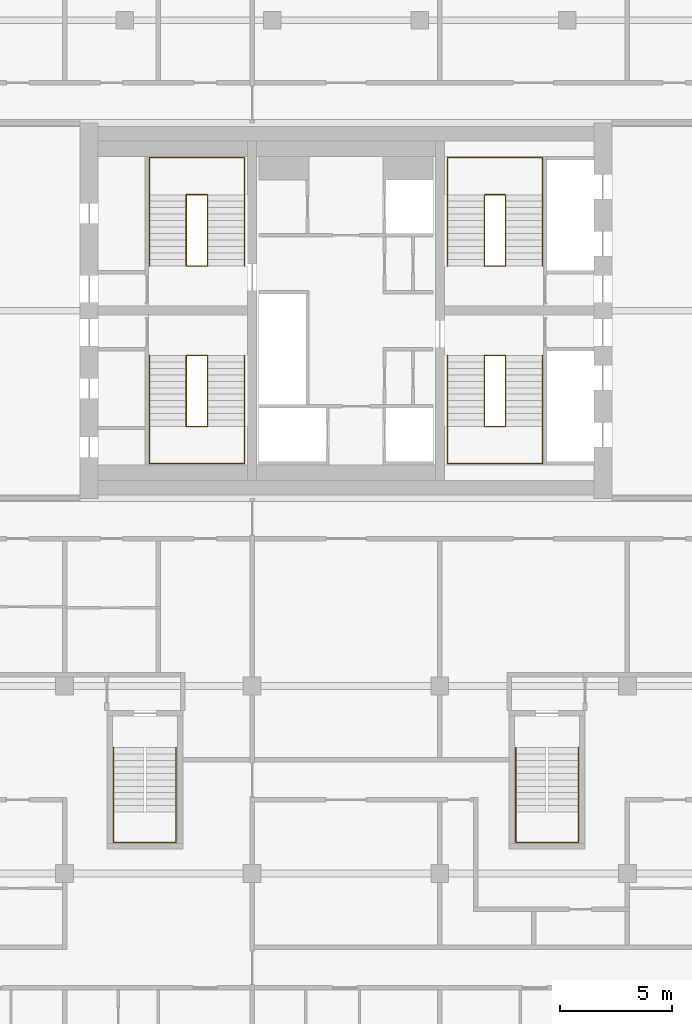
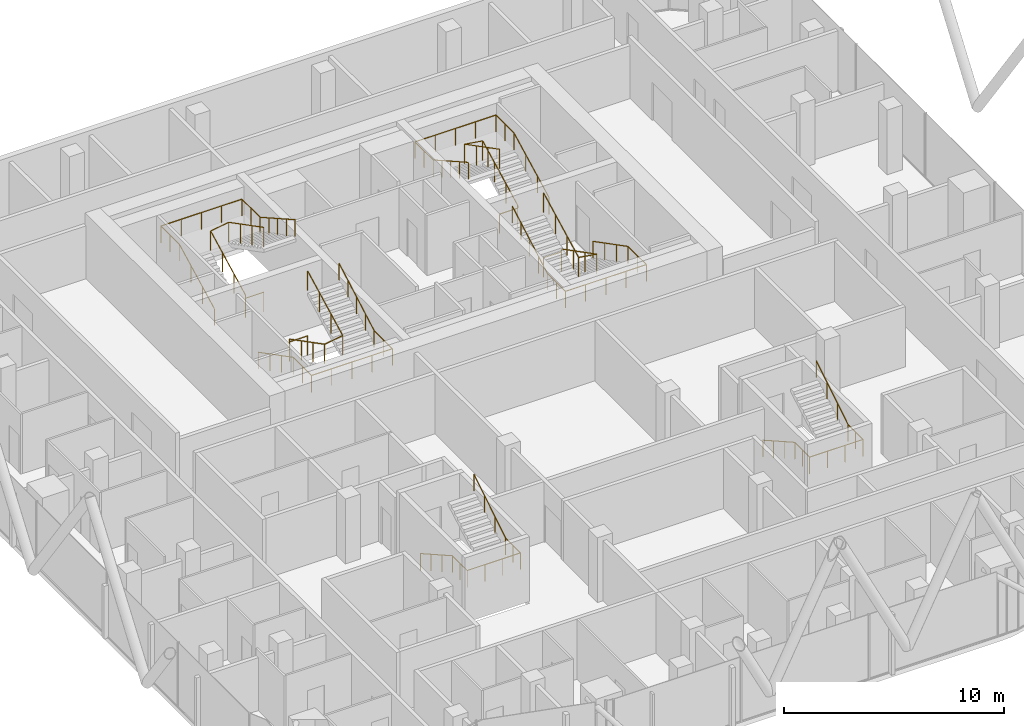
# One storey, part 28 of 28: 10 railings.
"""IFC4 building model written with IfcOpenShell, lengths in metres."""

from ifc_helpers import new_model, si_unit, direction, frame, origin, origin_2d, place, context, subcontext, project, spatial, circle, extrude, material, type_object, element, save


model = new_model("IFC4")

# Units and contexts
model_context = context("Model", 3, precision=1e-05, world=origin(), true_north=direction((0.0, 1.0)))
body_context = subcontext(model_context, "Body", "Model", "MODEL_VIEW")
ifc_project = project(units=[si_unit("LENGTHUNIT", "METRE"), si_unit("AREAUNIT", "SQUARE_METRE"), si_unit("VOLUMEUNIT", "CUBIC_METRE"), si_unit("PLANEANGLEUNIT", "RADIAN"), si_unit("MASSUNIT", "GRAM", prefix="KILO")], contexts=[model_context])

# Site, building, storey
site_placement = place(None, origin())
site = spatial("IfcSite", under=ifc_project, at=site_placement, CompositionType="ELEMENT")
building_placement = place(site_placement, origin())
building = spatial("IfcBuilding", under=site, at=building_placement, Name="Marenta Gate Hotel Tower", CompositionType="ELEMENT")
storey_placement = place(building_placement, frame((0.0, 0.0, 198.5)))
storey = spatial("IfcBuildingStorey", under=building, at=storey_placement, Name="L45", CompositionType="ELEMENT", Elevation=198.5)

# Railings
ifc_material_1 = material(Name="Stainless steel", Category="steel")
railing_type_1 = type_object("IfcRailingType", Name="Core stair handrail 950", PredefinedType="HANDRAIL", material=ifc_material_1)
railing_1_placement = place(storey_placement, frame((-8.800048828125, 6.39990234375, 0.14990234375)))
element("IfcRailing", 1, at=railing_1_placement, inside=storey, type_object=railing_type_1, Name="HR-950 L45-KR-ST1-1", PredefinedType="HANDRAIL", context=body_context, shape_type="SweptSolid", body=[
    extrude(circle(Radius=0.02392578125, at=origin_2d()), frame((0.0, 0.0, 0.92578125), z_axis=(0.0, -0.888197555067, 0.459461753765), x_axis=(1.0, 0.0, 0.0)), (0.0, 0.0, 1.0), 3.591552734375),
    extrude(circle(Radius=0.02392578125, at=origin_2d()), frame((0.0, -3.18994140625, 2.576171875), z_axis=(0.0, -1.0, 0.0), x_axis=(1.0, 0.0, 0.0)), (0.0, 0.0, 1.0), 1.659912109375),
    extrude(circle(Radius=0.02392578125, at=origin_2d()), frame((0.0, -4.849853515625, 2.576171875), z_axis=(1.0, 0.0, 0.0), x_axis=(0.0, 1.0, 0.0)), (0.0, 0.0, 1.0), 4.25),
    extrude(circle(Radius=0.02392578125, at=origin_2d()), frame((4.25, -4.849853515625, 2.576171875), z_axis=(0.0, 1.0, 0.0), x_axis=(-1.0, 0.0, 0.0)), (0.0, 0.0, 1.0), 1.659912109375),
    extrude(circle(Radius=0.02392578125, at=origin_2d()), frame((4.25, -3.18994140625, 2.576171875), z_axis=(0.0, 0.87090897868, 0.491444351738), x_axis=(-1.0, 0.0, 0.0)), (0.0, 0.0, 1.0), 3.662841796875),
    extrude(circle(Radius=0.02099609375, at=origin_2d()), origin(), (0.0, 0.0, 1.0), 0.90185546875),
    extrude(circle(Radius=0.02099609375, at=origin_2d()), frame((0.0, -1.063232421875, 0.550048828125)), (0.0, 0.0, 1.0), 0.90185546875),
    extrude(circle(Radius=0.02099609375, at=origin_2d()), frame((0.0, -2.126708984375, 1.10009765625)), (0.0, 0.0, 1.0), 0.90185546875),
    extrude(circle(Radius=0.02099609375, at=origin_2d()), frame((0.0, -3.18994140625, 1.650146484375)), (0.0, 0.0, 1.0), 0.90185546875),
    extrude(circle(Radius=0.02099609375, at=origin_2d()), frame((0.0, -4.02001953125, 1.650146484375)), (0.0, 0.0, 1.0), 0.90185546875),
    extrude(circle(Radius=0.02099609375, at=origin_2d()), frame((0.0, -4.849853515625, 1.650146484375)), (0.0, 0.0, 1.0), 0.90185546875),
    extrude(circle(Radius=0.02099609375, at=origin_2d()), frame((1.0625, -4.849853515625, 1.650146484375)), (0.0, 0.0, 1.0), 0.90185546875),
    extrude(circle(Radius=0.02099609375, at=origin_2d()), frame((2.125, -4.849853515625, 1.650146484375)), (0.0, 0.0, 1.0), 0.90185546875),
    extrude(circle(Radius=0.02099609375, at=origin_2d()), frame((3.1875, -4.849853515625, 1.650146484375)), (0.0, 0.0, 1.0), 0.90185546875),
    extrude(circle(Radius=0.02099609375, at=origin_2d()), frame((4.25, -4.849853515625, 1.650146484375)), (0.0, 0.0, 1.0), 0.90185546875),
    extrude(circle(Radius=0.02099609375, at=origin_2d()), frame((4.25, -4.02001953125, 1.650146484375)), (0.0, 0.0, 1.0), 0.90185546875),
    extrude(circle(Radius=0.02099609375, at=origin_2d()), frame((4.25, -3.18994140625, 1.650146484375)), (0.0, 0.0, 1.0), 0.90185546875),
    extrude(circle(Radius=0.02099609375, at=origin_2d()), frame((4.25, -2.392578125, 2.10009765625)), (0.0, 0.0, 1.0), 0.90185546875),
    extrude(circle(Radius=0.02099609375, at=origin_2d()), frame((4.25, -1.594970703125, 2.55029296875)), (0.0, 0.0, 1.0), 0.90185546875),
    extrude(circle(Radius=0.02099609375, at=origin_2d()), frame((4.25, -0.79736328125, 3.000244140625)), (0.0, 0.0, 1.0), 0.90185546875),
    extrude(circle(Radius=0.02099609375, at=origin_2d()), frame((4.25, 0.0, 3.4501953125)), (0.0, 0.0, 1.0), 0.90185546875),
])
railing_2_placement = place(storey_placement, frame((-8.800048828125, 10.39990234375, 0.14990234375)))
element("IfcRailing", 2, at=railing_2_placement, inside=storey, type_object=railing_type_1, Name="HR-950 L45-KR-ST2-1", PredefinedType="HANDRAIL", context=body_context, shape_type="SweptSolid", body=[
    extrude(circle(Radius=0.02392578125, at=origin_2d()), frame((0.0, 0.0, 0.92578125), z_axis=(0.0, 0.888211904222, 0.459434013977), x_axis=(-1.0, 0.0, 0.0)), (0.0, 0.0, 1.0), 3.591796875),
    extrude(circle(Radius=0.02392578125, at=origin_2d()), frame((0.0, 3.190185546875, 2.576171875), z_axis=(0.0, 1.0, 0.0), x_axis=(-1.0, 0.0, 0.0)), (0.0, 0.0, 1.0), 1.659912109375),
    extrude(circle(Radius=0.02392578125, at=origin_2d()), frame((0.0, 4.85009765625, 2.576171875), z_axis=(1.0, 0.0, 0.0), x_axis=(0.0, 1.0, 0.0)), (0.0, 0.0, 1.0), 4.25),
    extrude(circle(Radius=0.02392578125, at=origin_2d()), frame((4.25, 4.85009765625, 2.576171875), z_axis=(0.0, -1.0, 0.0), x_axis=(1.0, 0.0, 0.0)), (0.0, 0.0, 1.0), 1.659912109375),
    extrude(circle(Radius=0.02392578125, at=origin_2d()), frame((4.25, 3.190185546875, 2.576171875), z_axis=(0.0, -0.870925075533, 0.491415824742), x_axis=(1.0, 0.0, 0.0)), (0.0, 0.0, 1.0), 3.6630859375),
    extrude(circle(Radius=0.02099609375, at=origin_2d()), origin(), (0.0, 0.0, 1.0), 0.90185546875),
    extrude(circle(Radius=0.02099609375, at=origin_2d()), frame((0.0, 1.0634765625, 0.550048828125)), (0.0, 0.0, 1.0), 0.90185546875),
    extrude(circle(Radius=0.02099609375, at=origin_2d()), frame((0.0, 2.126708984375, 1.10009765625)), (0.0, 0.0, 1.0), 0.90185546875),
    extrude(circle(Radius=0.02099609375, at=origin_2d()), frame((0.0, 3.190185546875, 1.650146484375)), (0.0, 0.0, 1.0), 0.90185546875),
    extrude(circle(Radius=0.02099609375, at=origin_2d()), frame((0.0, 4.02001953125, 1.650146484375)), (0.0, 0.0, 1.0), 0.90185546875),
    extrude(circle(Radius=0.02099609375, at=origin_2d()), frame((0.0, 4.85009765625, 1.650146484375)), (0.0, 0.0, 1.0), 0.90185546875),
    extrude(circle(Radius=0.02099609375, at=origin_2d()), frame((1.0625, 4.85009765625, 1.650146484375)), (0.0, 0.0, 1.0), 0.90185546875),
    extrude(circle(Radius=0.02099609375, at=origin_2d()), frame((2.125, 4.85009765625, 1.650146484375)), (0.0, 0.0, 1.0), 0.90185546875),
    extrude(circle(Radius=0.02099609375, at=origin_2d()), frame((3.1875, 4.85009765625, 1.650146484375)), (0.0, 0.0, 1.0), 0.90185546875),
    extrude(circle(Radius=0.02099609375, at=origin_2d()), frame((4.25, 4.85009765625, 1.650146484375)), (0.0, 0.0, 1.0), 0.90185546875),
    extrude(circle(Radius=0.02099609375, at=origin_2d()), frame((4.25, 4.02001953125, 1.650146484375)), (0.0, 0.0, 1.0), 0.90185546875),
    extrude(circle(Radius=0.02099609375, at=origin_2d()), frame((4.25, 3.190185546875, 1.650146484375)), (0.0, 0.0, 1.0), 0.90185546875),
    extrude(circle(Radius=0.02099609375, at=origin_2d()), frame((4.25, 2.392578125, 2.10009765625)), (0.0, 0.0, 1.0), 0.90185546875),
    extrude(circle(Radius=0.02099609375, at=origin_2d()), frame((4.25, 1.59521484375, 2.55029296875)), (0.0, 0.0, 1.0), 0.90185546875),
    extrude(circle(Radius=0.02099609375, at=origin_2d()), frame((4.25, 0.797607421875, 3.000244140625)), (0.0, 0.0, 1.0), 0.90185546875),
    extrude(circle(Radius=0.02099609375, at=origin_2d()), frame((4.25, 0.0, 3.4501953125)), (0.0, 0.0, 1.0), 0.90185546875),
])
railing_3_placement = place(storey_placement, frame((8.800048828125, 6.39990234375, 0.14990234375)))
element("IfcRailing", 3, at=railing_3_placement, inside=storey, type_object=railing_type_1, Name="HR-950 L45-KR-ST3-1", PredefinedType="HANDRAIL", context=body_context, shape_type="SweptSolid", body=[
    extrude(circle(Radius=0.02392578125, at=origin_2d()), frame((0.0, 0.0, 0.92578125), z_axis=(0.0, -0.888197555067, 0.459461753765), x_axis=(1.0, 0.0, 0.0)), (0.0, 0.0, 1.0), 3.591552734375),
    extrude(circle(Radius=0.02392578125, at=origin_2d()), frame((0.0, -3.18994140625, 2.576171875), z_axis=(0.0, -1.0, 0.0), x_axis=(1.0, 0.0, 0.0)), (0.0, 0.0, 1.0), 1.659912109375),
    extrude(circle(Radius=0.02392578125, at=origin_2d()), frame((0.0, -4.849853515625, 2.576171875), z_axis=(-1.0, 0.0, 0.0), x_axis=(0.0, -1.0, 0.0)), (0.0, 0.0, 1.0), 4.25),
    extrude(circle(Radius=0.02392578125, at=origin_2d()), frame((-4.25, -4.849853515625, 2.576171875), z_axis=(0.0, 1.0, 0.0), x_axis=(-1.0, 0.0, 0.0)), (0.0, 0.0, 1.0), 1.659912109375),
    extrude(circle(Radius=0.02392578125, at=origin_2d()), frame((-4.25, -3.18994140625, 2.576171875), z_axis=(0.0, 0.87090897868, 0.491444351738), x_axis=(-1.0, 0.0, 0.0)), (0.0, 0.0, 1.0), 3.662841796875),
    extrude(circle(Radius=0.02099609375, at=origin_2d()), origin(), (0.0, 0.0, 1.0), 0.90185546875),
    extrude(circle(Radius=0.02099609375, at=origin_2d()), frame((0.0, -1.063232421875, 0.550048828125)), (0.0, 0.0, 1.0), 0.90185546875),
    extrude(circle(Radius=0.02099609375, at=origin_2d()), frame((0.0, -2.126708984375, 1.10009765625)), (0.0, 0.0, 1.0), 0.90185546875),
    extrude(circle(Radius=0.02099609375, at=origin_2d()), frame((0.0, -3.18994140625, 1.650146484375)), (0.0, 0.0, 1.0), 0.90185546875),
    extrude(circle(Radius=0.02099609375, at=origin_2d()), frame((0.0, -4.02001953125, 1.650146484375)), (0.0, 0.0, 1.0), 0.90185546875),
    extrude(circle(Radius=0.02099609375, at=origin_2d()), frame((0.0, -4.849853515625, 1.650146484375)), (0.0, 0.0, 1.0), 0.90185546875),
    extrude(circle(Radius=0.02099609375, at=origin_2d()), frame((-1.0625, -4.849853515625, 1.650146484375)), (0.0, 0.0, 1.0), 0.90185546875),
    extrude(circle(Radius=0.02099609375, at=origin_2d()), frame((-2.125, -4.849853515625, 1.650146484375)), (0.0, 0.0, 1.0), 0.90185546875),
    extrude(circle(Radius=0.02099609375, at=origin_2d()), frame((-3.1875, -4.849853515625, 1.650146484375)), (0.0, 0.0, 1.0), 0.90185546875),
    extrude(circle(Radius=0.02099609375, at=origin_2d()), frame((-4.25, -4.849853515625, 1.650146484375)), (0.0, 0.0, 1.0), 0.90185546875),
    extrude(circle(Radius=0.02099609375, at=origin_2d()), frame((-4.25, -4.02001953125, 1.650146484375)), (0.0, 0.0, 1.0), 0.90185546875),
    extrude(circle(Radius=0.02099609375, at=origin_2d()), frame((-4.25, -3.18994140625, 1.650146484375)), (0.0, 0.0, 1.0), 0.90185546875),
    extrude(circle(Radius=0.02099609375, at=origin_2d()), frame((-4.25, -2.392578125, 2.10009765625)), (0.0, 0.0, 1.0), 0.90185546875),
    extrude(circle(Radius=0.02099609375, at=origin_2d()), frame((-4.25, -1.594970703125, 2.55029296875)), (0.0, 0.0, 1.0), 0.90185546875),
    extrude(circle(Radius=0.02099609375, at=origin_2d()), frame((-4.25, -0.79736328125, 3.000244140625)), (0.0, 0.0, 1.0), 0.90185546875),
    extrude(circle(Radius=0.02099609375, at=origin_2d()), frame((-4.25, 0.0, 3.4501953125)), (0.0, 0.0, 1.0), 0.90185546875),
])
railing_4_placement = place(storey_placement, frame((8.800048828125, 10.39990234375, 0.14990234375)))
element("IfcRailing", 4, at=railing_4_placement, inside=storey, type_object=railing_type_1, Name="HR-950 L45-KR-ST4-1", PredefinedType="HANDRAIL", context=body_context, shape_type="SweptSolid", body=[
    extrude(circle(Radius=0.02392578125, at=origin_2d()), frame((0.0, 0.0, 0.92578125), z_axis=(0.0, 0.888211904222, 0.459434013977), x_axis=(-1.0, 0.0, 0.0)), (0.0, 0.0, 1.0), 3.591796875),
    extrude(circle(Radius=0.02392578125, at=origin_2d()), frame((0.0, 3.190185546875, 2.576171875), z_axis=(0.0, 1.0, 0.0), x_axis=(-1.0, 0.0, 0.0)), (0.0, 0.0, 1.0), 1.659912109375),
    extrude(circle(Radius=0.02392578125, at=origin_2d()), frame((0.0, 4.85009765625, 2.576171875), z_axis=(-1.0, 0.0, 0.0), x_axis=(0.0, -1.0, 0.0)), (0.0, 0.0, 1.0), 4.25),
    extrude(circle(Radius=0.02392578125, at=origin_2d()), frame((-4.25, 4.85009765625, 2.576171875), z_axis=(0.0, -1.0, 0.0), x_axis=(1.0, 0.0, 0.0)), (0.0, 0.0, 1.0), 1.659912109375),
    extrude(circle(Radius=0.02392578125, at=origin_2d()), frame((-4.25, 3.190185546875, 2.576171875), z_axis=(0.0, -0.870925075533, 0.491415824742), x_axis=(1.0, 0.0, 0.0)), (0.0, 0.0, 1.0), 3.6630859375),
    extrude(circle(Radius=0.02099609375, at=origin_2d()), origin(), (0.0, 0.0, 1.0), 0.90185546875),
    extrude(circle(Radius=0.02099609375, at=origin_2d()), frame((0.0, 1.0634765625, 0.550048828125)), (0.0, 0.0, 1.0), 0.90185546875),
    extrude(circle(Radius=0.02099609375, at=origin_2d()), frame((0.0, 2.126708984375, 1.10009765625)), (0.0, 0.0, 1.0), 0.90185546875),
    extrude(circle(Radius=0.02099609375, at=origin_2d()), frame((0.0, 3.190185546875, 1.650146484375)), (0.0, 0.0, 1.0), 0.90185546875),
    extrude(circle(Radius=0.02099609375, at=origin_2d()), frame((0.0, 4.02001953125, 1.650146484375)), (0.0, 0.0, 1.0), 0.90185546875),
    extrude(circle(Radius=0.02099609375, at=origin_2d()), frame((0.0, 4.85009765625, 1.650146484375)), (0.0, 0.0, 1.0), 0.90185546875),
    extrude(circle(Radius=0.02099609375, at=origin_2d()), frame((-1.0625, 4.85009765625, 1.650146484375)), (0.0, 0.0, 1.0), 0.90185546875),
    extrude(circle(Radius=0.02099609375, at=origin_2d()), frame((-2.125, 4.85009765625, 1.650146484375)), (0.0, 0.0, 1.0), 0.90185546875),
    extrude(circle(Radius=0.02099609375, at=origin_2d()), frame((-3.1875, 4.85009765625, 1.650146484375)), (0.0, 0.0, 1.0), 0.90185546875),
    extrude(circle(Radius=0.02099609375, at=origin_2d()), frame((-4.25, 4.85009765625, 1.650146484375)), (0.0, 0.0, 1.0), 0.90185546875),
    extrude(circle(Radius=0.02099609375, at=origin_2d()), frame((-4.25, 4.02001953125, 1.650146484375)), (0.0, 0.0, 1.0), 0.90185546875),
    extrude(circle(Radius=0.02099609375, at=origin_2d()), frame((-4.25, 3.190185546875, 1.650146484375)), (0.0, 0.0, 1.0), 0.90185546875),
    extrude(circle(Radius=0.02099609375, at=origin_2d()), frame((-4.25, 2.392578125, 2.10009765625)), (0.0, 0.0, 1.0), 0.90185546875),
    extrude(circle(Radius=0.02099609375, at=origin_2d()), frame((-4.25, 1.59521484375, 2.55029296875)), (0.0, 0.0, 1.0), 0.90185546875),
    extrude(circle(Radius=0.02099609375, at=origin_2d()), frame((-4.25, 0.797607421875, 3.000244140625)), (0.0, 0.0, 1.0), 0.90185546875),
    extrude(circle(Radius=0.02099609375, at=origin_2d()), frame((-4.25, 0.0, 3.4501953125)), (0.0, 0.0, 1.0), 0.90185546875),
])
railing_5_placement = place(storey_placement, frame((-10.39990234375, -11.14990234375, 0.16357421875)))
element("IfcRailing", 5, at=railing_5_placement, inside=storey, type_object=railing_type_1, Name="HR-950 L45-RS-Z3-1-KR-1", PredefinedType="HANDRAIL", context=body_context, shape_type="SweptSolid", body=[
    extrude(circle(Radius=0.02392578125, at=origin_2d()), frame((0.0, 0.0, 0.92578125), z_axis=(0.0, -0.870914908162, 0.491433843708), x_axis=(1.0, 0.0, 0.0)), (0.0, 0.0, 1.0), 3.330078125),
    extrude(circle(Radius=0.02392578125, at=origin_2d()), frame((0.0, -2.900146484375, 2.5625), z_axis=(0.0, -1.0, 0.0), x_axis=(1.0, 0.0, 0.0)), (0.0, 0.0, 1.0), 1.349853515625),
    extrude(circle(Radius=0.02392578125, at=origin_2d()), frame((0.0, -4.25, 2.5625), z_axis=(1.0, 0.0, 0.0), x_axis=(0.0, 1.0, 0.0)), (0.0, 0.0, 1.0), 2.7998046875),
    extrude(circle(Radius=0.02392578125, at=origin_2d()), frame((2.7998046875, -4.25, 2.5625), z_axis=(0.0, 1.0, 0.0), x_axis=(-1.0, 0.0, 0.0)), (0.0, 0.0, 1.0), 1.349853515625),
    extrude(circle(Radius=0.02392578125, at=origin_2d()), frame((2.7998046875, -2.900146484375, 2.5625), z_axis=(0.0, 0.849645691689, 0.527353959494), x_axis=(-1.0, 0.0, 0.0)), (0.0, 0.0, 1.0), 3.413330078125),
    extrude(circle(Radius=0.02099609375, at=origin_2d()), origin(), (0.0, 0.0, 1.0), 0.90185546875),
    extrude(circle(Radius=0.02099609375, at=origin_2d()), frame((0.0, -0.966796875, 0.54541015625)), (0.0, 0.0, 1.0), 0.90185546875),
    extrude(circle(Radius=0.02099609375, at=origin_2d()), frame((0.0, -1.933349609375, 1.091064453125)), (0.0, 0.0, 1.0), 0.90185546875),
    extrude(circle(Radius=0.02099609375, at=origin_2d()), frame((0.0, -2.900146484375, 1.636474609375)), (0.0, 0.0, 1.0), 0.90185546875),
    extrude(circle(Radius=0.02099609375, at=origin_2d()), frame((0.0, -3.5751953125, 1.636474609375)), (0.0, 0.0, 1.0), 0.90185546875),
    extrude(circle(Radius=0.02099609375, at=origin_2d()), frame((0.0, -4.25, 1.636474609375)), (0.0, 0.0, 1.0), 0.90185546875),
    extrude(circle(Radius=0.02099609375, at=origin_2d()), frame((0.933349609375, -4.25, 1.636474609375)), (0.0, 0.0, 1.0), 0.90185546875),
    extrude(circle(Radius=0.02099609375, at=origin_2d()), frame((1.866455078125, -4.25, 1.636474609375)), (0.0, 0.0, 1.0), 0.90185546875),
    extrude(circle(Radius=0.02099609375, at=origin_2d()), frame((2.7998046875, -4.25, 1.636474609375)), (0.0, 0.0, 1.0), 0.90185546875),
    extrude(circle(Radius=0.02099609375, at=origin_2d()), frame((2.7998046875, -3.5751953125, 1.636474609375)), (0.0, 0.0, 1.0), 0.90185546875),
    extrude(circle(Radius=0.02099609375, at=origin_2d()), frame((2.7998046875, -2.900146484375, 1.636474609375)), (0.0, 0.0, 1.0), 0.90185546875),
    extrude(circle(Radius=0.02099609375, at=origin_2d()), frame((2.7998046875, -1.933349609375, 2.236572265625)), (0.0, 0.0, 1.0), 0.90185546875),
    extrude(circle(Radius=0.02099609375, at=origin_2d()), frame((2.7998046875, -0.966796875, 2.83642578125)), (0.0, 0.0, 1.0), 0.90185546875),
    extrude(circle(Radius=0.02099609375, at=origin_2d()), frame((2.7998046875, 0.0, 3.4365234375)), (0.0, 0.0, 1.0), 0.90185546875),
])
railing_6_placement = place(storey_placement, frame((7.60009765625, -11.14990234375, 0.16357421875)))
element("IfcRailing", 6, at=railing_6_placement, inside=storey, type_object=railing_type_1, Name="HR-950 L45-RS-Z3-2-KR-1", PredefinedType="HANDRAIL", context=body_context, shape_type="SweptSolid", body=[
    extrude(circle(Radius=0.02392578125, at=origin_2d()), frame((0.0, 0.0, 0.92578125), z_axis=(0.0, -0.870914908162, 0.491433843708), x_axis=(1.0, 0.0, 0.0)), (0.0, 0.0, 1.0), 3.330078125),
    extrude(circle(Radius=0.02392578125, at=origin_2d()), frame((0.0, -2.900146484375, 2.5625), z_axis=(0.0, -1.0, 0.0), x_axis=(1.0, 0.0, 0.0)), (0.0, 0.0, 1.0), 1.349853515625),
    extrude(circle(Radius=0.02392578125, at=origin_2d()), frame((0.0, -4.25, 2.5625), z_axis=(1.0, 0.0, 0.0), x_axis=(0.0, 1.0, 0.0)), (0.0, 0.0, 1.0), 2.7998046875),
    extrude(circle(Radius=0.02392578125, at=origin_2d()), frame((2.7998046875, -4.25, 2.5625), z_axis=(0.0, 1.0, 0.0), x_axis=(-1.0, 0.0, 0.0)), (0.0, 0.0, 1.0), 1.349853515625),
    extrude(circle(Radius=0.02392578125, at=origin_2d()), frame((2.7998046875, -2.900146484375, 2.5625), z_axis=(0.0, 0.849645691689, 0.527353959494), x_axis=(-1.0, 0.0, 0.0)), (0.0, 0.0, 1.0), 3.413330078125),
    extrude(circle(Radius=0.02099609375, at=origin_2d()), origin(), (0.0, 0.0, 1.0), 0.90185546875),
    extrude(circle(Radius=0.02099609375, at=origin_2d()), frame((0.0, -0.966796875, 0.54541015625)), (0.0, 0.0, 1.0), 0.90185546875),
    extrude(circle(Radius=0.02099609375, at=origin_2d()), frame((0.0, -1.933349609375, 1.091064453125)), (0.0, 0.0, 1.0), 0.90185546875),
    extrude(circle(Radius=0.02099609375, at=origin_2d()), frame((0.0, -2.900146484375, 1.636474609375)), (0.0, 0.0, 1.0), 0.90185546875),
    extrude(circle(Radius=0.02099609375, at=origin_2d()), frame((0.0, -3.5751953125, 1.636474609375)), (0.0, 0.0, 1.0), 0.90185546875),
    extrude(circle(Radius=0.02099609375, at=origin_2d()), frame((0.0, -4.25, 1.636474609375)), (0.0, 0.0, 1.0), 0.90185546875),
    extrude(circle(Radius=0.02099609375, at=origin_2d()), frame((0.933349609375, -4.25, 1.636474609375)), (0.0, 0.0, 1.0), 0.90185546875),
    extrude(circle(Radius=0.02099609375, at=origin_2d()), frame((1.866455078125, -4.25, 1.636474609375)), (0.0, 0.0, 1.0), 0.90185546875),
    extrude(circle(Radius=0.02099609375, at=origin_2d()), frame((2.7998046875, -4.25, 1.636474609375)), (0.0, 0.0, 1.0), 0.90185546875),
    extrude(circle(Radius=0.02099609375, at=origin_2d()), frame((2.7998046875, -3.5751953125, 1.636474609375)), (0.0, 0.0, 1.0), 0.90185546875),
    extrude(circle(Radius=0.02099609375, at=origin_2d()), frame((2.7998046875, -2.900146484375, 1.636474609375)), (0.0, 0.0, 1.0), 0.90185546875),
    extrude(circle(Radius=0.02099609375, at=origin_2d()), frame((2.7998046875, -1.933349609375, 2.236572265625)), (0.0, 0.0, 1.0), 0.90185546875),
    extrude(circle(Radius=0.02099609375, at=origin_2d()), frame((2.7998046875, -0.966796875, 2.83642578125)), (0.0, 0.0, 1.0), 0.90185546875),
    extrude(circle(Radius=0.02099609375, at=origin_2d()), frame((2.7998046875, 0.0, 3.4365234375)), (0.0, 0.0, 1.0), 0.90185546875),
])
ifc_material_2 = material(Name="Stainless steel", Category="steel")
railing_type_2 = type_object("IfcRailingType", Name="Core stair well guard 1100", PredefinedType="GUARDRAIL", material=ifc_material_2)
railing_7_placement = place(storey_placement, frame((-6.199951171875, 6.39990234375, 0.0)))
element("IfcRailing", 7, at=railing_7_placement, inside=storey, type_object=railing_type_2, Name="GR-1100 L45-KR-ST1-2", PredefinedType="GUARDRAIL", context=body_context, shape_type="SweptSolid", body=[
    extrude(circle(Radius=0.02392578125, at=origin_2d()), frame((0.0, 0.0, 1.076171875), z_axis=(-1.0, 0.0, 0.0), x_axis=(0.0, -1.0, 0.0)), (0.0, 0.0, 1.0), 0.949951171875),
    extrude(circle(Radius=0.02392578125, at=origin_2d()), frame((-0.949951171875, 0.0, 1.076171875), z_axis=(0.0, 0.0, 1.0), x_axis=(1.0, 0.0, 0.0)), (0.0, 0.0, 1.0), 0.14990234375),
    extrude(circle(Radius=0.02392578125, at=origin_2d()), frame((-0.949951171875, 0.0, 1.22607421875), z_axis=(0.0, -0.888197555067, 0.459461753765), x_axis=(1.0, 0.0, 0.0)), (0.0, 0.0, 1.0), 3.591552734375),
    extrude(circle(Radius=0.02392578125, at=origin_2d()), frame((-0.949951171875, -3.18994140625, 2.8759765625), z_axis=(0.987777369502, 0.0, 0.15587131968), x_axis=(0.0, 1.0, 0.0)), (0.0, 0.0, 1.0), 0.961669921875),
    extrude(circle(Radius=0.02392578125, at=origin_2d()), frame((0.0, -3.18994140625, 3.02587890625), z_axis=(0.0, 0.888197555067, 0.459461753765), x_axis=(-1.0, 0.0, 0.0)), (0.0, 0.0, 1.0), 3.591552734375),
    extrude(circle(Radius=0.02099609375, at=origin_2d()), origin(), (0.0, 0.0, 1.0), 1.052001953125),
    extrude(circle(Radius=0.02099609375, at=origin_2d()), frame((-0.949951171875, 0.0, 0.0)), (0.0, 0.0, 1.0), 1.052001953125),
    extrude(circle(Radius=0.02099609375, at=origin_2d()), frame((-0.949951171875, 0.0, 0.14990234375)), (0.0, 0.0, 1.0), 1.052001953125),
    extrude(circle(Radius=0.02099609375, at=origin_2d()), frame((-0.949951171875, -1.063232421875, 0.699951171875)), (0.0, 0.0, 1.0), 1.052001953125),
    extrude(circle(Radius=0.02099609375, at=origin_2d()), frame((-0.949951171875, -2.126708984375, 1.25)), (0.0, 0.0, 1.0), 1.052001953125),
    extrude(circle(Radius=0.02099609375, at=origin_2d()), frame((-0.949951171875, -3.18994140625, 1.800048828125)), (0.0, 0.0, 1.0), 1.052001953125),
    extrude(circle(Radius=0.02099609375, at=origin_2d()), frame((0.0, -3.18994140625, 1.949951171875)), (0.0, 0.0, 1.0), 1.052001953125),
    extrude(circle(Radius=0.02099609375, at=origin_2d()), frame((0.0, -2.126708984375, 2.5)), (0.0, 0.0, 1.0), 1.052001953125),
    extrude(circle(Radius=0.02099609375, at=origin_2d()), frame((0.0, -1.063232421875, 3.050048828125)), (0.0, 0.0, 1.0), 1.052001953125),
    extrude(circle(Radius=0.02099609375, at=origin_2d()), frame((0.0, 0.0, 3.60009765625)), (0.0, 0.0, 1.0), 1.052001953125),
])
railing_8_placement = place(storey_placement, frame((-6.199951171875, 10.39990234375, 0.0)))
element("IfcRailing", 8, at=railing_8_placement, inside=storey, type_object=railing_type_2, Name="GR-1100 L45-KR-ST2-2", PredefinedType="GUARDRAIL", context=body_context, shape_type="SweptSolid", body=[
    extrude(circle(Radius=0.02392578125, at=origin_2d()), frame((0.0, 0.0, 1.076171875), z_axis=(-1.0, 0.0, 0.0), x_axis=(0.0, -1.0, 0.0)), (0.0, 0.0, 1.0), 0.949951171875),
    extrude(circle(Radius=0.02392578125, at=origin_2d()), frame((-0.949951171875, 0.0, 1.076171875), z_axis=(0.0, 0.0, 1.0), x_axis=(1.0, 0.0, 0.0)), (0.0, 0.0, 1.0), 0.14990234375),
    extrude(circle(Radius=0.02392578125, at=origin_2d()), frame((-0.949951171875, 0.0, 1.22607421875), z_axis=(0.0, 0.888211904222, 0.459434013977), x_axis=(-1.0, 0.0, 0.0)), (0.0, 0.0, 1.0), 3.591796875),
    extrude(circle(Radius=0.02392578125, at=origin_2d()), frame((-0.949951171875, 3.190185546875, 2.8759765625), z_axis=(0.987777369502, 0.0, 0.15587131968), x_axis=(0.0, 1.0, 0.0)), (0.0, 0.0, 1.0), 0.961669921875),
    extrude(circle(Radius=0.02392578125, at=origin_2d()), frame((0.0, 3.190185546875, 3.02587890625), z_axis=(0.0, -0.888211904222, 0.459434013977), x_axis=(1.0, 0.0, 0.0)), (0.0, 0.0, 1.0), 3.591796875),
    extrude(circle(Radius=0.02099609375, at=origin_2d()), origin(), (0.0, 0.0, 1.0), 1.052001953125),
    extrude(circle(Radius=0.02099609375, at=origin_2d()), frame((-0.949951171875, 0.0, 0.0)), (0.0, 0.0, 1.0), 1.052001953125),
    extrude(circle(Radius=0.02099609375, at=origin_2d()), frame((-0.949951171875, 0.0, 0.14990234375)), (0.0, 0.0, 1.0), 1.052001953125),
    extrude(circle(Radius=0.02099609375, at=origin_2d()), frame((-0.949951171875, 1.0634765625, 0.699951171875)), (0.0, 0.0, 1.0), 1.052001953125),
    extrude(circle(Radius=0.02099609375, at=origin_2d()), frame((-0.949951171875, 2.126708984375, 1.25)), (0.0, 0.0, 1.0), 1.052001953125),
    extrude(circle(Radius=0.02099609375, at=origin_2d()), frame((-0.949951171875, 3.190185546875, 1.800048828125)), (0.0, 0.0, 1.0), 1.052001953125),
    extrude(circle(Radius=0.02099609375, at=origin_2d()), frame((0.0, 3.190185546875, 1.949951171875)), (0.0, 0.0, 1.0), 1.052001953125),
    extrude(circle(Radius=0.02099609375, at=origin_2d()), frame((0.0, 2.126708984375, 2.5)), (0.0, 0.0, 1.0), 1.052001953125),
    extrude(circle(Radius=0.02099609375, at=origin_2d()), frame((0.0, 1.0634765625, 3.050048828125)), (0.0, 0.0, 1.0), 1.052001953125),
    extrude(circle(Radius=0.02099609375, at=origin_2d()), frame((0.0, 0.0, 3.60009765625)), (0.0, 0.0, 1.0), 1.052001953125),
])
railing_9_placement = place(storey_placement, frame((6.199951171875, 6.39990234375, 0.0)))
element("IfcRailing", 9, at=railing_9_placement, inside=storey, type_object=railing_type_2, Name="GR-1100 L45-KR-ST3-2", PredefinedType="GUARDRAIL", context=body_context, shape_type="SweptSolid", body=[
    extrude(circle(Radius=0.02392578125, at=origin_2d()), frame((0.0, 0.0, 1.076171875), z_axis=(1.0, 0.0, 0.0), x_axis=(0.0, 1.0, 0.0)), (0.0, 0.0, 1.0), 0.949951171875),
    extrude(circle(Radius=0.02392578125, at=origin_2d()), frame((0.949951171875, 0.0, 1.076171875), z_axis=(0.0, 0.0, 1.0), x_axis=(1.0, 0.0, 0.0)), (0.0, 0.0, 1.0), 0.14990234375),
    extrude(circle(Radius=0.02392578125, at=origin_2d()), frame((0.949951171875, 0.0, 1.22607421875), z_axis=(0.0, -0.888197555067, 0.459461753765), x_axis=(1.0, 0.0, 0.0)), (0.0, 0.0, 1.0), 3.591552734375),
    extrude(circle(Radius=0.02392578125, at=origin_2d()), frame((0.949951171875, -3.18994140625, 2.8759765625), z_axis=(-0.987777369502, 0.0, 0.15587131968), x_axis=(0.0, -1.0, 0.0)), (0.0, 0.0, 1.0), 0.961669921875),
    extrude(circle(Radius=0.02392578125, at=origin_2d()), frame((0.0, -3.18994140625, 3.02587890625), z_axis=(0.0, 0.888197555067, 0.459461753765), x_axis=(-1.0, 0.0, 0.0)), (0.0, 0.0, 1.0), 3.591552734375),
    extrude(circle(Radius=0.02099609375, at=origin_2d()), origin(), (0.0, 0.0, 1.0), 1.052001953125),
    extrude(circle(Radius=0.02099609375, at=origin_2d()), frame((0.949951171875, 0.0, 0.0)), (0.0, 0.0, 1.0), 1.052001953125),
    extrude(circle(Radius=0.02099609375, at=origin_2d()), frame((0.949951171875, 0.0, 0.14990234375)), (0.0, 0.0, 1.0), 1.052001953125),
    extrude(circle(Radius=0.02099609375, at=origin_2d()), frame((0.949951171875, -1.063232421875, 0.699951171875)), (0.0, 0.0, 1.0), 1.052001953125),
    extrude(circle(Radius=0.02099609375, at=origin_2d()), frame((0.949951171875, -2.126708984375, 1.25)), (0.0, 0.0, 1.0), 1.052001953125),
    extrude(circle(Radius=0.02099609375, at=origin_2d()), frame((0.949951171875, -3.18994140625, 1.800048828125)), (0.0, 0.0, 1.0), 1.052001953125),
    extrude(circle(Radius=0.02099609375, at=origin_2d()), frame((0.0, -3.18994140625, 1.949951171875)), (0.0, 0.0, 1.0), 1.052001953125),
    extrude(circle(Radius=0.02099609375, at=origin_2d()), frame((0.0, -2.126708984375, 2.5)), (0.0, 0.0, 1.0), 1.052001953125),
    extrude(circle(Radius=0.02099609375, at=origin_2d()), frame((0.0, -1.063232421875, 3.050048828125)), (0.0, 0.0, 1.0), 1.052001953125),
    extrude(circle(Radius=0.02099609375, at=origin_2d()), frame((0.0, 0.0, 3.60009765625)), (0.0, 0.0, 1.0), 1.052001953125),
])
railing_10_placement = place(storey_placement, frame((6.199951171875, 10.39990234375, 0.0)))
element("IfcRailing", 10, at=railing_10_placement, inside=storey, type_object=railing_type_2, Name="GR-1100 L45-KR-ST4-2", PredefinedType="GUARDRAIL", context=body_context, shape_type="SweptSolid", body=[
    extrude(circle(Radius=0.02392578125, at=origin_2d()), frame((0.0, 0.0, 1.076171875), z_axis=(1.0, 0.0, 0.0), x_axis=(0.0, 1.0, 0.0)), (0.0, 0.0, 1.0), 0.949951171875),
    extrude(circle(Radius=0.02392578125, at=origin_2d()), frame((0.949951171875, 0.0, 1.076171875), z_axis=(0.0, 0.0, 1.0), x_axis=(1.0, 0.0, 0.0)), (0.0, 0.0, 1.0), 0.14990234375),
    extrude(circle(Radius=0.02392578125, at=origin_2d()), frame((0.949951171875, 0.0, 1.22607421875), z_axis=(0.0, 0.888211904222, 0.459434013977), x_axis=(-1.0, 0.0, 0.0)), (0.0, 0.0, 1.0), 3.591796875),
    extrude(circle(Radius=0.02392578125, at=origin_2d()), frame((0.949951171875, 3.190185546875, 2.8759765625), z_axis=(-0.987777369502, 0.0, 0.15587131968), x_axis=(0.0, -1.0, 0.0)), (0.0, 0.0, 1.0), 0.961669921875),
    extrude(circle(Radius=0.02392578125, at=origin_2d()), frame((0.0, 3.190185546875, 3.02587890625), z_axis=(0.0, -0.888211904222, 0.459434013977), x_axis=(1.0, 0.0, 0.0)), (0.0, 0.0, 1.0), 3.591796875),
    extrude(circle(Radius=0.02099609375, at=origin_2d()), origin(), (0.0, 0.0, 1.0), 1.052001953125),
    extrude(circle(Radius=0.02099609375, at=origin_2d()), frame((0.949951171875, 0.0, 0.0)), (0.0, 0.0, 1.0), 1.052001953125),
    extrude(circle(Radius=0.02099609375, at=origin_2d()), frame((0.949951171875, 0.0, 0.14990234375)), (0.0, 0.0, 1.0), 1.052001953125),
    extrude(circle(Radius=0.02099609375, at=origin_2d()), frame((0.949951171875, 1.0634765625, 0.699951171875)), (0.0, 0.0, 1.0), 1.052001953125),
    extrude(circle(Radius=0.02099609375, at=origin_2d()), frame((0.949951171875, 2.126708984375, 1.25)), (0.0, 0.0, 1.0), 1.052001953125),
    extrude(circle(Radius=0.02099609375, at=origin_2d()), frame((0.949951171875, 3.190185546875, 1.800048828125)), (0.0, 0.0, 1.0), 1.052001953125),
    extrude(circle(Radius=0.02099609375, at=origin_2d()), frame((0.0, 3.190185546875, 1.949951171875)), (0.0, 0.0, 1.0), 1.052001953125),
    extrude(circle(Radius=0.02099609375, at=origin_2d()), frame((0.0, 2.126708984375, 2.5)), (0.0, 0.0, 1.0), 1.052001953125),
    extrude(circle(Radius=0.02099609375, at=origin_2d()), frame((0.0, 1.0634765625, 3.050048828125)), (0.0, 0.0, 1.0), 1.052001953125),
    extrude(circle(Radius=0.02099609375, at=origin_2d()), frame((0.0, 0.0, 3.60009765625)), (0.0, 0.0, 1.0), 1.052001953125),
])

save(model, "model.ifc")
